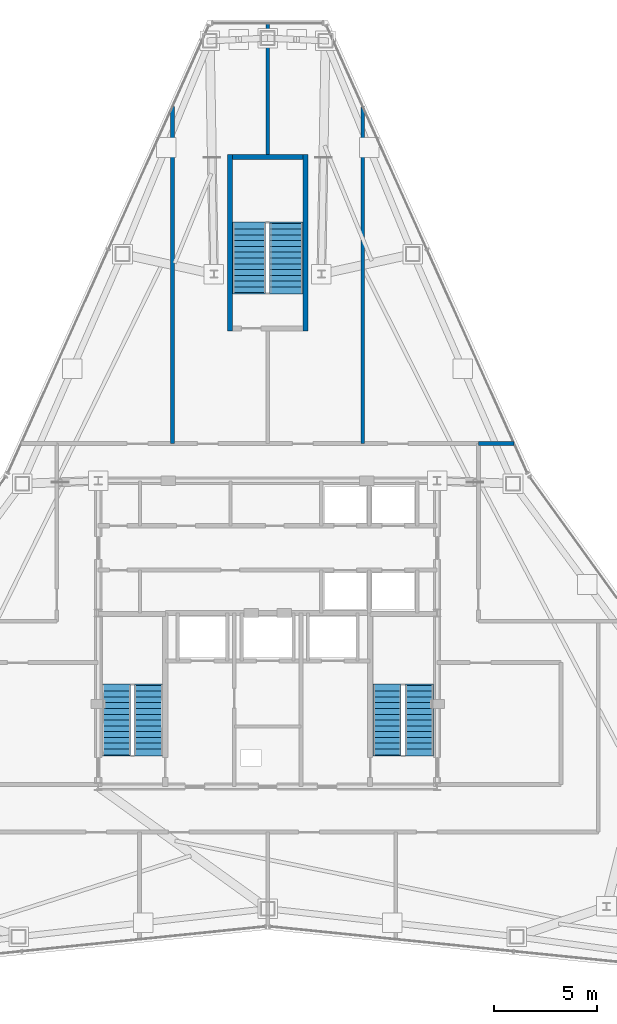
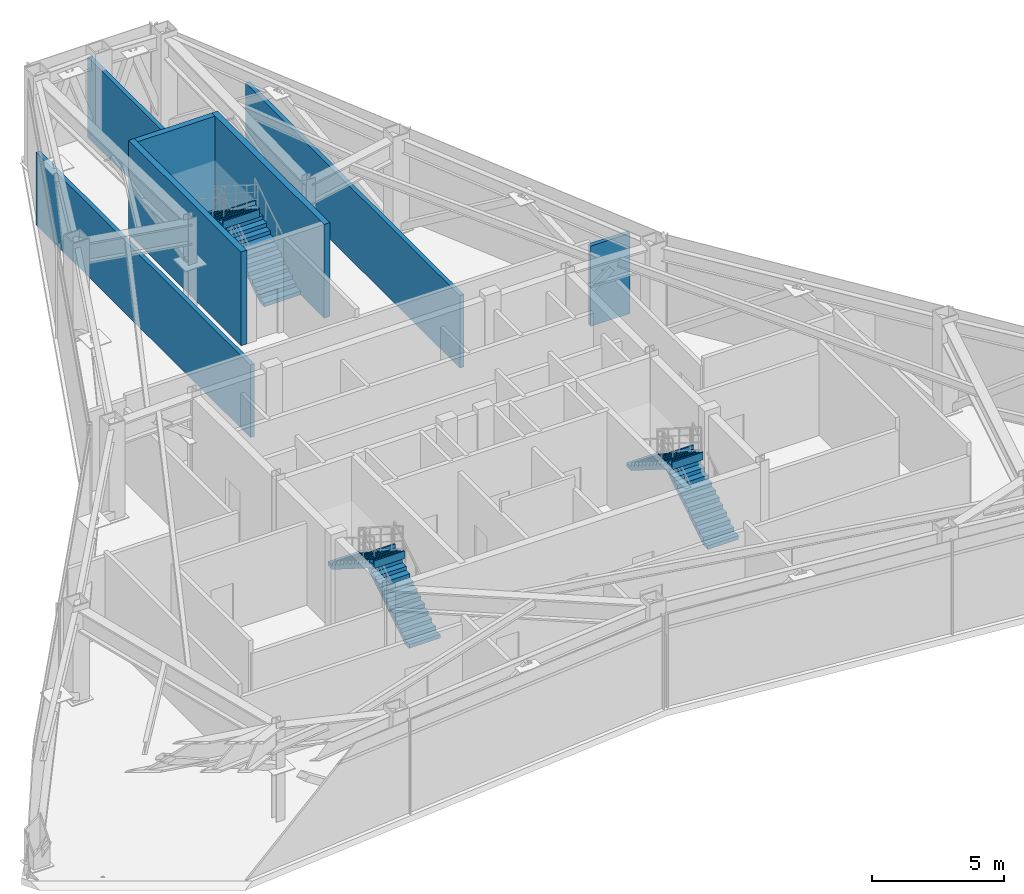
# One storey, part 11 of 12: 7 walls, 6 stair flights, 3 elements without a shape of their own.
"""IFC4 building model written with IfcOpenShell, lengths in metres."""

from ifc_helpers import new_model, si_unit, direction, frame, frame_2d, origin, place, context, subcontext, project, spatial, polyline, rectangle, outline, extrude, material, layer, layer_set, type_object, element, aggregate, save


model = new_model("IFC4")

# Units and contexts
model_context = context("Model", 3, precision=1e-05, world=origin(), true_north=direction((0.0, 1.0)))
body_context = subcontext(model_context, "Body", "Model", "MODEL_VIEW")
ifc_project = project(units=[si_unit("LENGTHUNIT", "METRE"), si_unit("AREAUNIT", "SQUARE_METRE"), si_unit("VOLUMEUNIT", "CUBIC_METRE"), si_unit("PLANEANGLEUNIT", "RADIAN"), si_unit("MASSUNIT", "GRAM", prefix="KILO")], contexts=[model_context])

# Site, building, storey
site_placement = place(None, origin())
site = spatial("IfcSite", under=ifc_project, at=site_placement, CompositionType="ELEMENT")
building_placement = place(site_placement, origin())
building = spatial("IfcBuilding", under=site, at=building_placement, Name="Varakhsha Concourse Tower", CompositionType="ELEMENT")
storey_placement = place(building_placement, frame((0.0, 0.0, 250.39990234375)))
storey = spatial("IfcBuildingStorey", under=building, at=storey_placement, Name="L71", CompositionType="ELEMENT", Elevation=250.39990234375)

# Walls
ifc_material_1 = material(Name="Fire-Rated Type X Gypsum Partition Assembly", Category="gypsum")
ifc_layer_1 = layer(ifc_material_1, 0.179931640625, Name="WL-PART-180")
ifc_layer_set_1 = layer_set([ifc_layer_1], Name="Fire-Rated Type X Gypsum Partition Assembly")
wall_type_1 = type_object("IfcWallType", Name="WL-PART-180", PredefinedType="PARTITIONING", material=ifc_layer_set_1)
wall_1_placement = place(storey_placement, frame((50.199951171875, 33.0, 0.0), z_axis=(0.0, 0.0, 1.0), x_axis=(1.0, 0.0, 0.0)))
element("IfcWall", 1, at=wall_1_placement, inside=storey, type_object=wall_type_1, Name="L71 Wall PDIV-EN-L71", PredefinedType="PARTITIONING", context=body_context, shape_type="SweptSolid", body=[
    extrude(rectangle(XDim=1.723876953125, YDim=0.179931640625, at=frame_2d((0.86181640625, 0.0))), origin(), (0.0, 0.0, 1.0), 3.72802734375),
])
wall_2_placement = place(storey_placement, frame((35.39990234375, 33.0, 0.0), z_axis=(0.0, 0.0, 1.0), x_axis=(0.0, 1.0, 0.0)))
element("IfcWall", 2, at=wall_2_placement, inside=storey, type_object=wall_type_1, Name="L71 Wall PDIV-N1-L71", PredefinedType="PARTITIONING", context=body_context, shape_type="SweptSolid", body=[
    extrude(rectangle(XDim=16.308837890625, YDim=0.179931640625, at=frame_2d((8.154296875, 0.0))), origin(), (0.0, 0.0, 1.0), 3.364990234375),
])
wall_3_placement = place(storey_placement, frame((40.0, 47.0, 0.0), z_axis=(0.0, 0.0, 1.0), x_axis=(0.0, 1.0, 0.0)))
element("IfcWall", 3, at=wall_3_placement, inside=storey, type_object=wall_type_1, Name="L71 Wall PDIV-N2-L71-B", PredefinedType="PARTITIONING", context=body_context, shape_type="SweptSolid", body=[
    extrude(rectangle(XDim=6.33203125, YDim=0.179931640625, at=frame_2d((3.166015625, 0.0))), origin(), (0.0, 0.0, 1.0), 3.72802734375),
])
wall_4_placement = place(storey_placement, frame((44.60009765625, 33.0, 0.0), z_axis=(0.0, 0.0, 1.0), x_axis=(0.0, 1.0, 0.0)))
element("IfcWall", 4, at=wall_4_placement, inside=storey, type_object=wall_type_1, Name="L71 Wall PDIV-N3-L71", PredefinedType="PARTITIONING", context=body_context, shape_type="SweptSolid", body=[
    extrude(rectangle(XDim=16.308837890625, YDim=0.179931640625, at=frame_2d((8.154296875, 0.0))), origin(), (0.0, 0.0, 1.0), 3.364990234375),
])
ifc_material_2 = material(Name="Concrete fc 45 MPa", Category="concrete")
ifc_layer_2 = layer(ifc_material_2, 0.25, Name="WL-STAIR-250")
ifc_layer_set_2 = layer_set([ifc_layer_2], Name="Concrete fc 45 MPa")
wall_type_2 = type_object("IfcWallType", Name="WL-STAIR-250", PredefinedType="SHEAR", material=ifc_layer_set_2)
for number, where, z_axis, x_axis, name in (
    (5, (38.175048828125, 38.449951171875, 0.0), (0.0, 0.0, 1.0), (0.0, 1.0, 0.0), "L71 Wall SWALL-ST5-W-L71"),
    (6, (41.824951171875, 38.449951171875, 0.0), (0.0, 0.0, 1.0), (0.0, 1.0, 0.0), "L71 Wall SWALL-ST5-E-L71"),
):
    element("IfcWall", number, at=place(storey_placement, frame(where, z_axis=z_axis, x_axis=x_axis)), inside=storey, type_object=wall_type_2, Name=name, PredefinedType="SHEAR", context=body_context, shape_type="SweptSolid", body=[
        extrude(rectangle(XDim=8.550048828125, YDim=0.25, at=frame_2d((4.27490234375, 0.0))), origin(), (0.0, 0.0, 1.0), 4.35009765625),
    ])
wall_5_placement = place(storey_placement, frame((38.300048828125, 46.875, 0.0), z_axis=(0.0, 0.0, 1.0), x_axis=(1.0, 0.0, 0.0)))
element("IfcWall", 7, at=wall_5_placement, inside=storey, type_object=wall_type_2, Name="L71 Wall SWALL-ST5-N-L71", PredefinedType="SHEAR", context=body_context, shape_type="SweptSolid", body=[
    extrude(rectangle(XDim=3.39990234375, YDim=0.25, at=frame_2d((1.699951171875, 0.0))), origin(), (0.0, 0.0, 1.0), 4.35009765625),
])

# Stair, stair flights
stair_type_1 = type_object("IfcStairType", Name="ST-DOGLEG-1360", PredefinedType="HALF_TURN_STAIR", material=ifc_material_2)
stair_1_placement = place(storey_placement, origin())
stair_1 = element("IfcStair", 8, at=stair_1_placement, inside=storey, type_object=stair_type_1, Name="L71 Protected Exit Stair ST1", PredefinedType="HALF_TURN_STAIR")
stair_flight_type_1 = type_object("IfcStairFlightType", Name="STF-1360-R1769", PredefinedType="STRAIGHT", material=ifc_material_2)
stair_flight_1_placement = place(storey_placement, frame((34.239990234375, 17.93994140625, 0.0), z_axis=(0.0, 0.0, 1.0), x_axis=(0.0, 1.0, 0.0)))
stair_flight_1 = element("IfcStairFlight", 9, at=stair_flight_1_placement, type_object=stair_flight_type_1, Name="ST1 flight 1", NumberOfRisers=13, NumberOfTreads=12, PredefinedType="STRAIGHT", RiserHeight=0.176923077, TreadLength=0.28, context=body_context, shape_type="SweptSolid", body=[
    extrude(outline(polyline([(-0.06005859375, 0.0), (-0.06005859375, 0.177001953125), (0.0, 0.177001953125), (0.280029296875, 0.177001953125), (0.280029296875, 0.353759765625), (0.56005859375, 0.353759765625), (0.56005859375, 0.53076171875), (0.840087890625, 0.53076171875), (0.840087890625, 0.707763671875), (1.1201171875, 0.707763671875), (1.1201171875, 0.884521484375), (1.39990234375, 0.884521484375), (1.39990234375, 1.0615234375), (1.679931640625, 1.0615234375), (1.679931640625, 1.238525390625), (1.9599609375, 1.238525390625), (1.9599609375, 1.415283203125), (2.239990234375, 1.415283203125), (2.239990234375, 1.59228515625), (2.52001953125, 1.59228515625), (2.52001953125, 1.769287109375), (2.800048828125, 1.769287109375), (2.800048828125, 1.946044921875), (3.080078125, 1.946044921875), (3.080078125, 2.123046875), (3.360107421875, 2.123046875), (3.360107421875, 2.300048828125), (3.419921875, 2.300048828125), (3.419921875, 1.94580078125), (3.360107421875, 1.94580078125), (0.280517578125, 0.0), (-0.06005859375, 0.0)])), frame((0.0, 0.68017578125, 0.0), z_axis=(0.0, -1.0, 0.0), x_axis=(1.0, 0.0, 0.0)), (0.0, 0.0, 1.0), 1.360107421875),
])
stair_flight_2_placement = place(storey_placement, frame((32.679931640625, 21.300048828125, 2.300048828125), z_axis=(0.0, 0.0, 1.0), x_axis=(0.0, -1.0, 0.0)))
stair_flight_2 = element("IfcStairFlight", 10, at=stair_flight_2_placement, type_object=stair_flight_type_1, Name="ST1 flight 2", NumberOfRisers=13, NumberOfTreads=12, PredefinedType="STRAIGHT", RiserHeight=0.176923077, TreadLength=0.28, context=body_context, shape_type="SweptSolid", body=[
    extrude(outline(polyline([(-0.06005859375, 0.0), (-0.06005859375, 0.177001953125), (0.0, 0.177001953125), (0.280029296875, 0.177001953125), (0.280029296875, 0.353759765625), (0.56005859375, 0.353759765625), (0.56005859375, 0.53076171875), (0.840087890625, 0.53076171875), (0.840087890625, 0.707763671875), (1.1201171875, 0.707763671875), (1.1201171875, 0.884521484375), (1.39990234375, 0.884521484375), (1.39990234375, 1.0615234375), (1.679931640625, 1.0615234375), (1.679931640625, 1.238525390625), (1.9599609375, 1.238525390625), (1.9599609375, 1.415283203125), (2.239990234375, 1.415283203125), (2.239990234375, 1.59228515625), (2.52001953125, 1.59228515625), (2.52001953125, 1.769287109375), (2.800048828125, 1.769287109375), (2.800048828125, 1.946044921875), (3.080078125, 1.946044921875), (3.080078125, 2.123046875), (3.360107421875, 2.123046875), (3.360107421875, 2.300048828125), (3.419921875, 2.300048828125), (3.419921875, 1.94580078125), (3.360107421875, 1.94580078125), (0.280517578125, 0.0), (-0.06005859375, 0.0)])), frame((0.0, 0.68017578125, 0.0), z_axis=(0.0, -1.0, 0.0), x_axis=(1.0, 0.0, 0.0)), (0.0, 0.0, 1.0), 1.360107421875),
])
aggregate(stair_1, [stair_flight_1, stair_flight_2])

stair_2_placement = place(storey_placement, origin())
stair_2 = element("IfcStair", 11, at=stair_2_placement, inside=storey, type_object=stair_type_1, Name="L71 Protected Exit Stair ST2", PredefinedType="HALF_TURN_STAIR")
stair_flight_3_placement = place(storey_placement, frame((47.340087890625, 17.93994140625, 0.0), z_axis=(0.0, 0.0, 1.0), x_axis=(0.0, 1.0, 0.0)))
stair_flight_3 = element("IfcStairFlight", 12, at=stair_flight_3_placement, type_object=stair_flight_type_1, Name="ST2 flight 1", NumberOfRisers=13, NumberOfTreads=12, PredefinedType="STRAIGHT", RiserHeight=0.176923077, TreadLength=0.28, context=body_context, shape_type="SweptSolid", body=[
    extrude(outline(polyline([(-0.06005859375, 0.0), (-0.06005859375, 0.177001953125), (0.0, 0.177001953125), (0.280029296875, 0.177001953125), (0.280029296875, 0.353759765625), (0.56005859375, 0.353759765625), (0.56005859375, 0.53076171875), (0.840087890625, 0.53076171875), (0.840087890625, 0.707763671875), (1.1201171875, 0.707763671875), (1.1201171875, 0.884521484375), (1.39990234375, 0.884521484375), (1.39990234375, 1.0615234375), (1.679931640625, 1.0615234375), (1.679931640625, 1.238525390625), (1.9599609375, 1.238525390625), (1.9599609375, 1.415283203125), (2.239990234375, 1.415283203125), (2.239990234375, 1.59228515625), (2.52001953125, 1.59228515625), (2.52001953125, 1.769287109375), (2.800048828125, 1.769287109375), (2.800048828125, 1.946044921875), (3.080078125, 1.946044921875), (3.080078125, 2.123046875), (3.360107421875, 2.123046875), (3.360107421875, 2.300048828125), (3.419921875, 2.300048828125), (3.419921875, 1.94580078125), (3.360107421875, 1.94580078125), (0.280517578125, 0.0), (-0.06005859375, 0.0)])), frame((0.0, 0.68017578125, 0.0), z_axis=(0.0, -1.0, 0.0), x_axis=(1.0, 0.0, 0.0)), (0.0, 0.0, 1.0), 1.360107421875),
])
stair_flight_4_placement = place(storey_placement, frame((45.780029296875, 21.300048828125, 2.300048828125), z_axis=(0.0, 0.0, 1.0), x_axis=(0.0, -1.0, 0.0)))
stair_flight_4 = element("IfcStairFlight", 13, at=stair_flight_4_placement, type_object=stair_flight_type_1, Name="ST2 flight 2", NumberOfRisers=13, NumberOfTreads=12, PredefinedType="STRAIGHT", RiserHeight=0.176923077, TreadLength=0.28, context=body_context, shape_type="SweptSolid", body=[
    extrude(outline(polyline([(-0.06005859375, 0.0), (-0.06005859375, 0.177001953125), (0.0, 0.177001953125), (0.280029296875, 0.177001953125), (0.280029296875, 0.353759765625), (0.56005859375, 0.353759765625), (0.56005859375, 0.53076171875), (0.840087890625, 0.53076171875), (0.840087890625, 0.707763671875), (1.1201171875, 0.707763671875), (1.1201171875, 0.884521484375), (1.39990234375, 0.884521484375), (1.39990234375, 1.0615234375), (1.679931640625, 1.0615234375), (1.679931640625, 1.238525390625), (1.9599609375, 1.238525390625), (1.9599609375, 1.415283203125), (2.239990234375, 1.415283203125), (2.239990234375, 1.59228515625), (2.52001953125, 1.59228515625), (2.52001953125, 1.769287109375), (2.800048828125, 1.769287109375), (2.800048828125, 1.946044921875), (3.080078125, 1.946044921875), (3.080078125, 2.123046875), (3.360107421875, 2.123046875), (3.360107421875, 2.300048828125), (3.419921875, 2.300048828125), (3.419921875, 1.94580078125), (3.360107421875, 1.94580078125), (0.280517578125, 0.0), (-0.06005859375, 0.0)])), frame((0.0, 0.68017578125, 0.0), z_axis=(0.0, -1.0, 0.0), x_axis=(1.0, 0.0, 0.0)), (0.0, 0.0, 1.0), 1.360107421875),
])
aggregate(stair_2, [stair_flight_3, stair_flight_4])

stair_type_2 = type_object("IfcStairType", Name="ST-DOGLEG-1600", PredefinedType="HALF_TURN_STAIR", material=ifc_material_2)
stair_3_placement = place(storey_placement, origin())
stair_3 = element("IfcStair", 14, at=stair_3_placement, inside=storey, type_object=stair_type_2, Name="L71 Protected Exit Stair ST5", PredefinedType="HALF_TURN_STAIR")
stair_flight_type_2 = type_object("IfcStairFlightType", Name="STF-1600-R1769", PredefinedType="STRAIGHT", material=ifc_material_2)
stair_flight_5_placement = place(storey_placement, frame((40.89990234375, 40.300048828125, 0.0), z_axis=(0.0, 0.0, 1.0), x_axis=(0.0, 1.0, 0.0)))
stair_flight_5 = element("IfcStairFlight", 15, at=stair_flight_5_placement, type_object=stair_flight_type_2, Name="ST5 flight 1", NumberOfRisers=13, NumberOfTreads=12, PredefinedType="STRAIGHT", RiserHeight=0.176923077, TreadLength=0.28, context=body_context, shape_type="SweptSolid", body=[
    extrude(outline(polyline([(-0.06005859375, 0.0), (-0.06005859375, 0.177001953125), (0.0, 0.177001953125), (0.280029296875, 0.177001953125), (0.280029296875, 0.353759765625), (0.56005859375, 0.353759765625), (0.56005859375, 0.53076171875), (0.840087890625, 0.53076171875), (0.840087890625, 0.707763671875), (1.1201171875, 0.707763671875), (1.1201171875, 0.884521484375), (1.39990234375, 0.884521484375), (1.39990234375, 1.0615234375), (1.679931640625, 1.0615234375), (1.679931640625, 1.238525390625), (1.9599609375, 1.238525390625), (1.9599609375, 1.415283203125), (2.239990234375, 1.415283203125), (2.239990234375, 1.59228515625), (2.52001953125, 1.59228515625), (2.52001953125, 1.769287109375), (2.800048828125, 1.769287109375), (2.800048828125, 1.946044921875), (3.080078125, 1.946044921875), (3.080078125, 2.123046875), (3.360107421875, 2.123046875), (3.360107421875, 2.300048828125), (3.419921875, 2.300048828125), (3.419921875, 1.94580078125), (3.360107421875, 1.94580078125), (0.280517578125, 0.0), (-0.06005859375, 0.0)])), frame((0.0, 0.800048828125, 0.0), z_axis=(0.0, -1.0, 0.0), x_axis=(1.0, 0.0, 0.0)), (0.0, 0.0, 1.0), 1.60009765625),
])
stair_flight_6_placement = place(storey_placement, frame((39.10009765625, 43.659912109375, 2.300048828125), z_axis=(0.0, 0.0, 1.0), x_axis=(0.0, -1.0, 0.0)))
stair_flight_6 = element("IfcStairFlight", 16, at=stair_flight_6_placement, type_object=stair_flight_type_2, Name="ST5 flight 2", NumberOfRisers=13, NumberOfTreads=12, PredefinedType="STRAIGHT", RiserHeight=0.176923077, TreadLength=0.28, context=body_context, shape_type="SweptSolid", body=[
    extrude(outline(polyline([(-0.06005859375, 0.0), (-0.06005859375, 0.177001953125), (0.0, 0.177001953125), (0.280029296875, 0.177001953125), (0.280029296875, 0.353759765625), (0.56005859375, 0.353759765625), (0.56005859375, 0.53076171875), (0.840087890625, 0.53076171875), (0.840087890625, 0.707763671875), (1.1201171875, 0.707763671875), (1.1201171875, 0.884521484375), (1.39990234375, 0.884521484375), (1.39990234375, 1.0615234375), (1.679931640625, 1.0615234375), (1.679931640625, 1.238525390625), (1.9599609375, 1.238525390625), (1.9599609375, 1.415283203125), (2.239990234375, 1.415283203125), (2.239990234375, 1.59228515625), (2.52001953125, 1.59228515625), (2.52001953125, 1.769287109375), (2.800048828125, 1.769287109375), (2.800048828125, 1.946044921875), (3.080078125, 1.946044921875), (3.080078125, 2.123046875), (3.360107421875, 2.123046875), (3.360107421875, 2.300048828125), (3.419921875, 2.300048828125), (3.419921875, 1.94580078125), (3.360107421875, 1.94580078125), (0.280517578125, 0.0), (-0.06005859375, 0.0)])), frame((0.0, 0.800048828125, 0.0), z_axis=(0.0, -1.0, 0.0), x_axis=(1.0, 0.0, 0.0)), (0.0, 0.0, 1.0), 1.60009765625),
])
aggregate(stair_3, [stair_flight_5, stair_flight_6])

save(model, "model.ifc")
